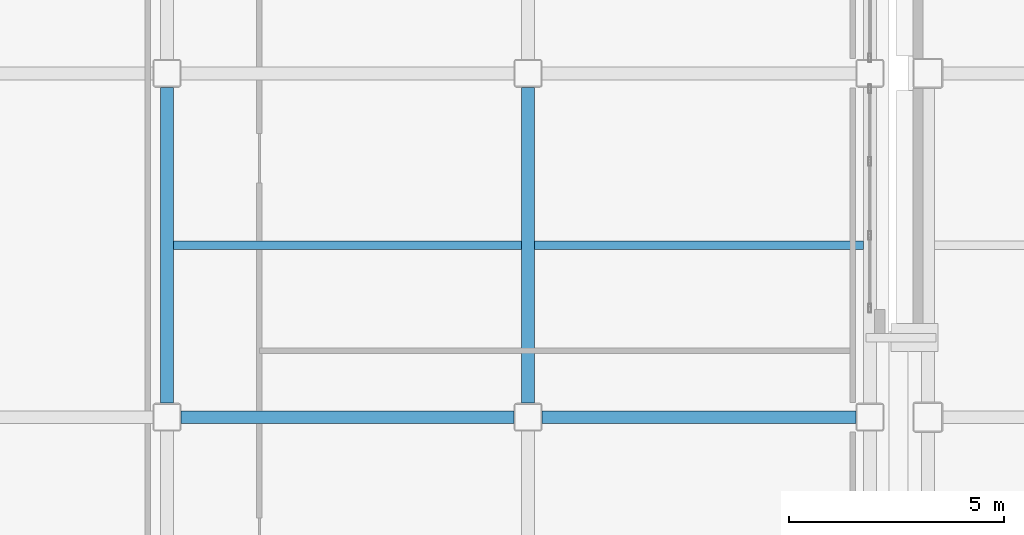
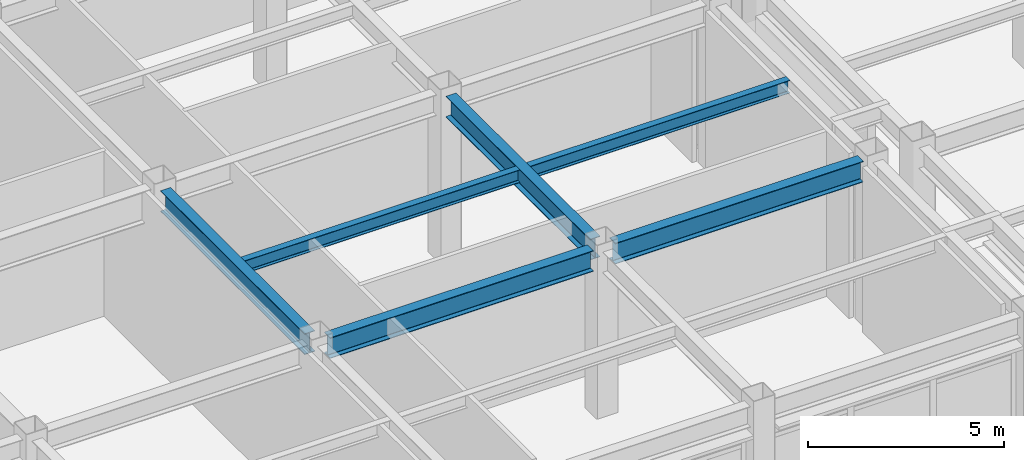
# One storey, part 44 of 165: 6 beams.
"""IFC4 building model written with IfcOpenShell, lengths in metres."""

from ifc_helpers import new_model, si_unit, direction, frame, origin, origin_2d, place, context, subcontext, project, spatial, i_section, extrude, material, material_profile, profile_set, type_object, element, save


model = new_model("IFC4")

# Units and contexts
model_context = context("Model", 3, precision=1e-05, world=origin(), true_north=direction((0.0, 1.0)))
body_context = subcontext(model_context, "Body", "Model", "MODEL_VIEW")
ifc_project = project(units=[si_unit("LENGTHUNIT", "METRE"), si_unit("AREAUNIT", "SQUARE_METRE"), si_unit("VOLUMEUNIT", "CUBIC_METRE"), si_unit("PLANEANGLEUNIT", "RADIAN"), si_unit("MASSUNIT", "GRAM", prefix="KILO")], contexts=[model_context])

# Site, building, storey
site_placement = place(None, origin())
site = spatial("IfcSite", under=ifc_project, at=site_placement, CompositionType="ELEMENT")
building_placement = place(site_placement, origin())
building = spatial("IfcBuilding", under=site, at=building_placement, Name="Kazehara Bluff Congress Hotel", CompositionType="ELEMENT")
storey_placement = place(building_placement, origin())
storey = spatial("IfcBuildingStorey", under=building, at=storey_placement, Name="L00", CompositionType="ELEMENT", Elevation=0.0)

# Beams
ifc_material_1 = material(Name="Steel SN490B", Category="steel")
ifc_material_profile_1 = material_profile(ifc_material_1, i_section(OverallWidth=0.300048828125, OverallDepth=0.64990234375, WebThickness=0.011962890625, FlangeThickness=0.02001953125, FilletRadius=0.012939453125, at=origin_2d()))
ifc_profile_set_1 = profile_set([ifc_material_profile_1], Name="Steel SN490B")
beam_type_1 = type_object("IfcBeamType", Name="TP-G-03", PredefinedType="BEAM", material=ifc_profile_set_1)
for number, where, z_axis, x_axis, name in (
    (1, (92.85009765625, 24.324951171875, 4.824951171875), (0.0, 1.0, 0.0), (-1.0, 0.0, 0.0), "L00 girder G-03 171"),
    (2, (101.25, 24.324951171875, 4.824951171875), (0.0, 1.0, 0.0), (-1.0, 0.0, 0.0), "L00 girder G-03 176"),
):
    element("IfcBeam", number, at=place(storey_placement, frame(where, z_axis=z_axis, x_axis=x_axis)), inside=storey, type_object=beam_type_1, Name=name, PredefinedType="BEAM", context=body_context, shape_type="SweptSolid", body=[
        extrude(i_section(OverallWidth=0.300048828125, OverallDepth=0.64990234375, WebThickness=0.011962890625, FlangeThickness=0.02001953125, FilletRadius=0.012939453125, at=origin_2d()), origin(), (0.0, 0.0, 1.0), 7.35009765625),
    ])
beam_1_placement = place(storey_placement, frame((93.175048828125, 24.0, 4.824951171875), z_axis=(1.0, 0.0, 0.0), x_axis=(0.0, 1.0, 0.0)))
element("IfcBeam", 3, at=beam_1_placement, inside=storey, type_object=beam_type_1, Name="L00 girder G-03 197", PredefinedType="BEAM", context=body_context, shape_type="SweptSolid", body=[
    extrude(i_section(OverallWidth=0.300048828125, OverallDepth=0.64990234375, WebThickness=0.011962890625, FlangeThickness=0.02001953125, FilletRadius=0.012939453125, at=origin_2d()), origin(), (0.0, 0.0, 1.0), 7.75),
])
beam_2_placement = place(storey_placement, frame((101.574951171875, 24.0, 4.824951171875), z_axis=(1.0, 0.0, 0.0), x_axis=(0.0, 1.0, 0.0)))
element("IfcBeam", 4, at=beam_2_placement, inside=storey, type_object=beam_type_1, Name="L00 girder G-03 198", PredefinedType="BEAM", context=body_context, shape_type="SweptSolid", body=[
    extrude(i_section(OverallWidth=0.300048828125, OverallDepth=0.64990234375, WebThickness=0.011962890625, FlangeThickness=0.02001953125, FilletRadius=0.012939453125, at=origin_2d()), origin(), (0.0, 0.0, 1.0), 7.300048828125),
])
ifc_material_2 = material(Name="Steel SN400B", Category="steel")
ifc_material_profile_2 = material_profile(ifc_material_2, i_section(OverallWidth=0.199951171875, OverallDepth=0.39990234375, WebThickness=0.008056640625, FlangeThickness=0.012939453125, FilletRadius=0.012939453125, at=origin_2d()))
ifc_profile_set_2 = profile_set([ifc_material_profile_2], Name="Steel SN400B")
beam_type_2 = type_object("IfcBeamType", Name="TP-J-03", PredefinedType="JOIST", material=ifc_profile_set_2)
beam_3_placement = place(storey_placement, frame((93.0, 28.0, 4.949951171875), z_axis=(1.0, 0.0, 0.0), x_axis=(0.0, 1.0, 0.0)))
element("IfcBeam", 5, at=beam_3_placement, inside=storey, type_object=beam_type_2, Name="L00 secondary joist J-03 44", PredefinedType="JOIST", context=body_context, shape_type="SweptSolid", body=[
    extrude(i_section(OverallWidth=0.199951171875, OverallDepth=0.39990234375, WebThickness=0.008056640625, FlangeThickness=0.012939453125, FilletRadius=0.012939453125, at=origin_2d()), origin(), (0.0, 0.0, 1.0), 8.10009765625),
])
beam_4_placement = place(storey_placement, frame((101.39990234375, 28.0, 4.949951171875), z_axis=(1.0, 0.0, 0.0), x_axis=(0.0, 1.0, 0.0)))
element("IfcBeam", 6, at=beam_4_placement, inside=storey, type_object=beam_type_2, Name="L00 secondary joist J-03 49", PredefinedType="JOIST", context=body_context, shape_type="SweptSolid", body=[
    extrude(i_section(OverallWidth=0.199951171875, OverallDepth=0.39990234375, WebThickness=0.008056640625, FlangeThickness=0.012939453125, FilletRadius=0.012939453125, at=origin_2d()), origin(), (0.0, 0.0, 1.0), 7.650146484375),
])

save(model, "model.ifc")
